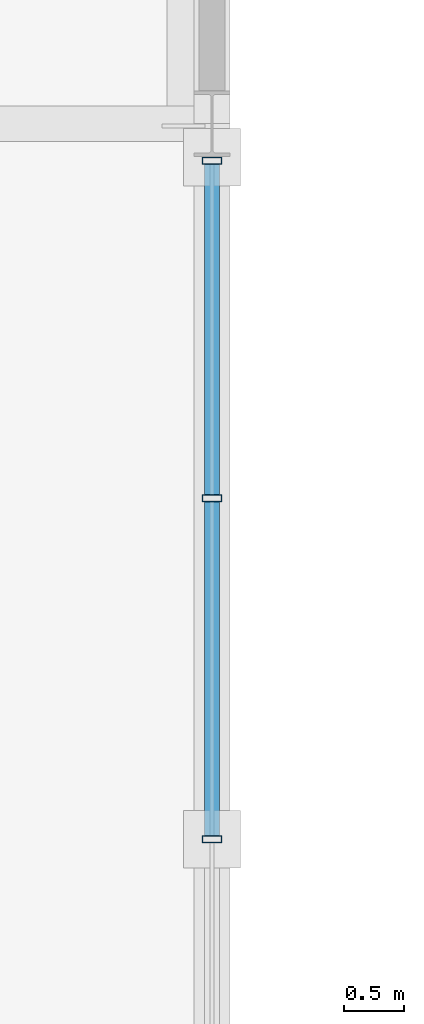
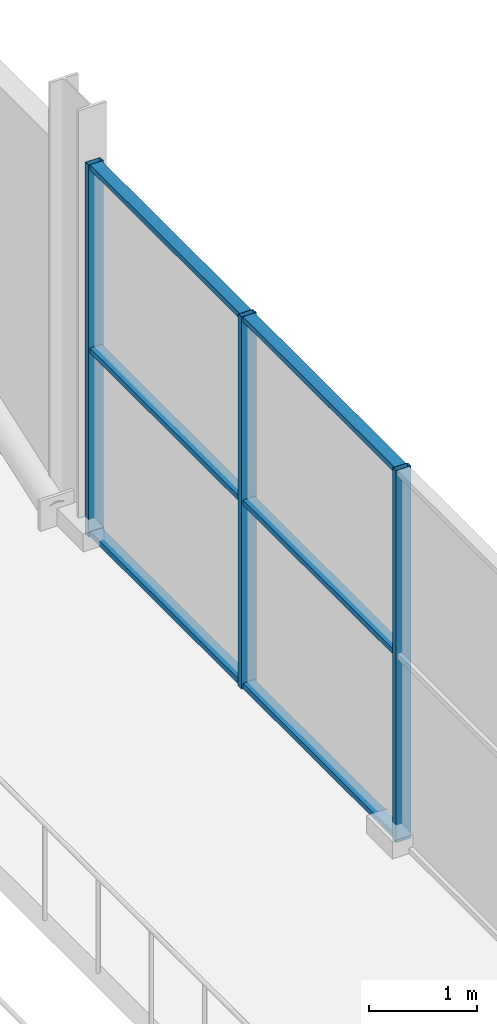
# One storey, part 38 of 159: 9 members, 1 element without a shape of its own.
"""IFC4 building model written with IfcOpenShell, lengths in metres."""

from ifc_helpers import new_model, si_unit, direction, frame, origin, origin_2d, place, context, subcontext, project, spatial, hollow_rectangle, extrude, material, material_profile, profile_set, type_object, element, aggregate, save


model = new_model("IFC4")

# Units and contexts
model_context = context("Model", 3, precision=1e-05, world=origin(), true_north=direction((0.0, 1.0)))
body_context = subcontext(model_context, "Body", "Model", "MODEL_VIEW")
ifc_project = project(units=[si_unit("LENGTHUNIT", "METRE"), si_unit("AREAUNIT", "SQUARE_METRE"), si_unit("VOLUMEUNIT", "CUBIC_METRE"), si_unit("PLANEANGLEUNIT", "RADIAN"), si_unit("MASSUNIT", "GRAM", prefix="KILO")], contexts=[model_context])

# Site, building, storey
site_placement = place(None, origin())
site = spatial("IfcSite", under=ifc_project, at=site_placement, CompositionType="ELEMENT")
building_placement = place(site_placement, origin())
building = spatial("IfcBuilding", under=site, at=building_placement, Name="Merenkruunu Market Hall", CompositionType="ELEMENT")
storey_placement = place(building_placement, frame((0.0, 0.0, 5.39990234375)))
storey = spatial("IfcBuildingStorey", under=building, at=storey_placement, Name="L01", CompositionType="ELEMENT", Elevation=5.39990234375)

# Curtain wall, members
ifc_material = material(Name="Powder-coated aluminium", Category="aluminium")
curtain_wall_type = type_object("IfcCurtainWallType", Name="Glazed Curtain Wall CW15", PredefinedType="USERDEFINED", material=ifc_material)
curtain_wall_placement = place(storey_placement, origin())
curtain_wall = element("IfcCurtainWall", 1, at=curtain_wall_placement, inside=storey, type_object=curtain_wall_type, Name="CW-L01-CWM01-125", ObjectType="GLAZED_FACADE", PredefinedType="USERDEFINED")
ifc_material_profile_1 = material_profile(ifc_material, hollow_rectangle(XDim=0.06005859375, YDim=0.159912109375, WallThickness=0.00390625, at=origin_2d()), Name="ALU 60x160x4")
ifc_profile_set_1 = profile_set([ifc_material_profile_1], Name="Powder-coated aluminium")
member_type_1 = type_object("IfcMemberType", Name="Curtain Wall Mullion CWM01", PredefinedType="MULLION", material=ifc_profile_set_1)
member_1_placement = place(storey_placement, frame((57.60009765625, 33.60009765625, 0.0), z_axis=(0.0, 0.0, 1.0), x_axis=(0.0, 1.0, 0.0)))
member_1 = element("IfcMember", 2, at=member_1_placement, type_object=member_type_1, Name="CW15 mullion 3", PredefinedType="MULLION", context=body_context, shape_type="SweptSolid", body=[
    extrude(hollow_rectangle(XDim=0.06005859375, YDim=0.159912109375, WallThickness=0.00390625, at=origin_2d()), origin(), (0.0, 0.0, 1.0), 4.2001953125),
])
member_2_placement = place(storey_placement, frame((57.60009765625, 36.4599609375, 0.0), z_axis=(0.0, 0.0, 1.0), x_axis=(0.0, 1.0, 0.0)))
member_2 = element("IfcMember", 3, at=member_2_placement, type_object=member_type_1, Name="CW15 mullion 4", PredefinedType="MULLION", context=body_context, shape_type="SweptSolid", body=[
    extrude(hollow_rectangle(XDim=0.06005859375, YDim=0.159912109375, WallThickness=0.00390625, at=origin_2d()), origin(), (0.0, 0.0, 1.0), 4.2001953125),
])
member_3_placement = place(storey_placement, frame((57.60009765625, 39.2900390625, 0.0), z_axis=(0.0, 0.0, 1.0), x_axis=(0.0, 1.0, 0.0)))
member_3 = element("IfcMember", 4, at=member_3_placement, type_object=member_type_1, Name="CW15 mullion 5", PredefinedType="MULLION", context=body_context, shape_type="SweptSolid", body=[
    extrude(hollow_rectangle(XDim=0.06005859375, YDim=0.159912109375, WallThickness=0.00390625, at=origin_2d()), origin(), (0.0, 0.0, 1.0), 4.2001953125),
])
ifc_material_profile_2 = material_profile(ifc_material, hollow_rectangle(XDim=0.06005859375, YDim=0.125, WallThickness=0.00390625, at=origin_2d()), Name="ALU 60x125x4")
ifc_profile_set_2 = profile_set([ifc_material_profile_2], Name="Powder-coated aluminium")
member_type_2 = type_object("IfcMemberType", Name="Curtain Wall Transom CWT01", PredefinedType="USERDEFINED", material=ifc_profile_set_2)
member_4_placement = place(storey_placement, frame((57.60009765625, 33.6298828125, 0.030029296875), z_axis=(0.0, 1.0, 0.0), x_axis=(0.0, 0.0, 1.0)))
member_4 = element("IfcMember", 5, at=member_4_placement, type_object=member_type_2, Name="CW15 transom 3.1", ObjectType="TRANSOM", PredefinedType="USERDEFINED", context=body_context, shape_type="SweptSolid", body=[
    extrude(hollow_rectangle(XDim=0.06005859375, YDim=0.125, WallThickness=0.00390625, at=origin_2d()), origin(), (0.0, 0.0, 1.0), 2.800048828125),
])
member_5_placement = place(storey_placement, frame((57.60009765625, 33.6298828125, 2.10009765625), z_axis=(0.0, 1.0, 0.0), x_axis=(0.0, 0.0, 1.0)))
member_5 = element("IfcMember", 6, at=member_5_placement, type_object=member_type_2, Name="CW15 transom 3.2", ObjectType="TRANSOM", PredefinedType="USERDEFINED", context=body_context, shape_type="SweptSolid", body=[
    extrude(hollow_rectangle(XDim=0.06005859375, YDim=0.125, WallThickness=0.00390625, at=origin_2d()), origin(), (0.0, 0.0, 1.0), 2.800048828125),
])
member_6_placement = place(storey_placement, frame((57.60009765625, 33.6298828125, 4.170166015625), z_axis=(0.0, 1.0, 0.0), x_axis=(0.0, 0.0, 1.0)))
member_6 = element("IfcMember", 7, at=member_6_placement, type_object=member_type_2, Name="CW15 transom 3.3", ObjectType="TRANSOM", PredefinedType="USERDEFINED", context=body_context, shape_type="SweptSolid", body=[
    extrude(hollow_rectangle(XDim=0.06005859375, YDim=0.125, WallThickness=0.00390625, at=origin_2d()), origin(), (0.0, 0.0, 1.0), 2.800048828125),
])
member_7_placement = place(storey_placement, frame((57.60009765625, 36.489990234375, 0.030029296875), z_axis=(0.0, 1.0, 0.0), x_axis=(0.0, 0.0, 1.0)))
member_7 = element("IfcMember", 8, at=member_7_placement, type_object=member_type_2, Name="CW15 transom 4.1", ObjectType="TRANSOM", PredefinedType="USERDEFINED", context=body_context, shape_type="SweptSolid", body=[
    extrude(hollow_rectangle(XDim=0.06005859375, YDim=0.125, WallThickness=0.00390625, at=origin_2d()), origin(), (0.0, 0.0, 1.0), 2.77001953125),
])
member_8_placement = place(storey_placement, frame((57.60009765625, 36.489990234375, 2.10009765625), z_axis=(0.0, 1.0, 0.0), x_axis=(0.0, 0.0, 1.0)))
member_8 = element("IfcMember", 9, at=member_8_placement, type_object=member_type_2, Name="CW15 transom 4.2", ObjectType="TRANSOM", PredefinedType="USERDEFINED", context=body_context, shape_type="SweptSolid", body=[
    extrude(hollow_rectangle(XDim=0.06005859375, YDim=0.125, WallThickness=0.00390625, at=origin_2d()), origin(), (0.0, 0.0, 1.0), 2.77001953125),
])
member_9_placement = place(storey_placement, frame((57.60009765625, 36.489990234375, 4.170166015625), z_axis=(0.0, 1.0, 0.0), x_axis=(0.0, 0.0, 1.0)))
member_9 = element("IfcMember", 10, at=member_9_placement, type_object=member_type_2, Name="CW15 transom 4.3", ObjectType="TRANSOM", PredefinedType="USERDEFINED", context=body_context, shape_type="SweptSolid", body=[
    extrude(hollow_rectangle(XDim=0.06005859375, YDim=0.125, WallThickness=0.00390625, at=origin_2d()), origin(), (0.0, 0.0, 1.0), 2.77001953125),
])
aggregate(curtain_wall, [member_1, member_2, member_3, member_4, member_5, member_6, member_7, member_8, member_9])

save(model, "model.ifc")
